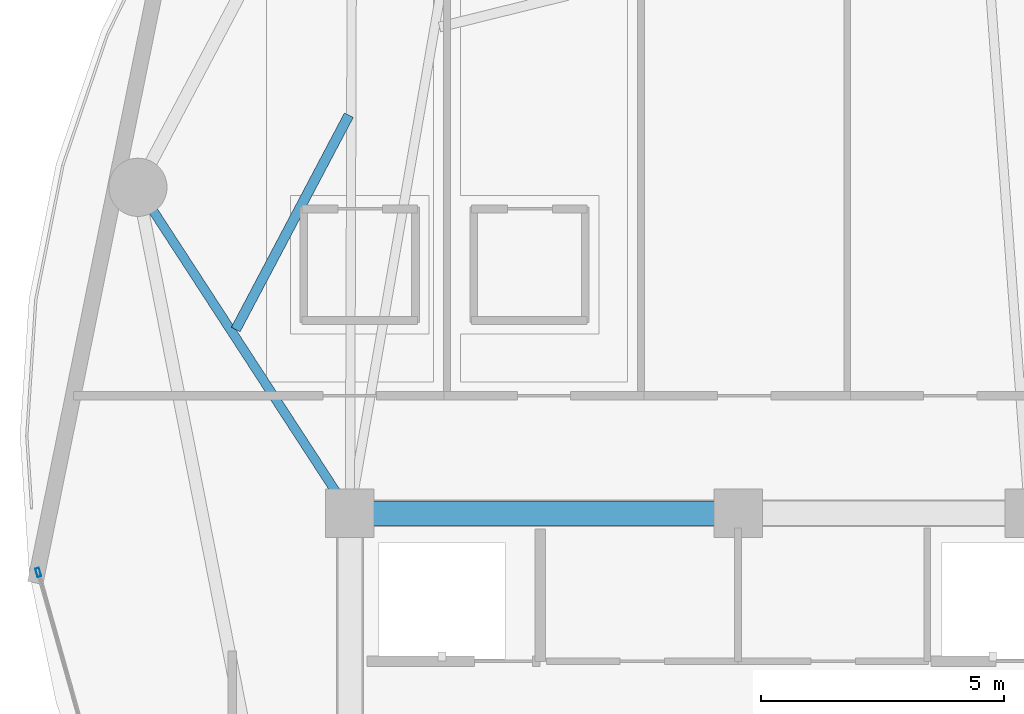
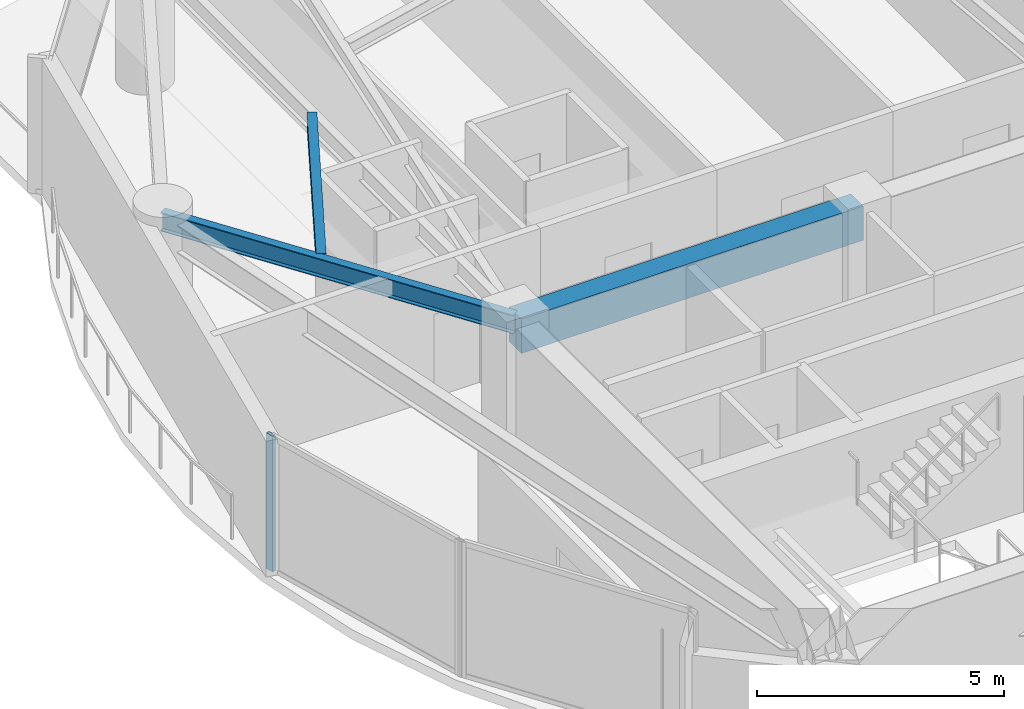
# One storey, part 7 of 28: 3 beams, 1 member, 1 element without a shape of its own.
"""IFC4 building model written with IfcOpenShell, lengths in metres."""

import ifcopenshell
import ifcopenshell.guid

model = None  # the IFC model being written
_history = None  # IfcOwnerHistory: only IFC2X3 demands one
_inside = {}  # id of a spatial element -> (the spatial element, [elements in it])
_under = {}  # id of a project, library or spatial element -> (it, [spatial elements below it])
_declared = {}  # id of a project -> (the project, [libraries it declares])
_typed = {}  # id of a type object -> (the type object, [elements of that type])
_made_of = {}  # id of a material, layer set ... -> (it, [elements and type objects made of it])


def new_model(schema):
    """Start an empty IFC model of exactly this schema.

    Asked for "IFC4X3", IfcOpenShell would pick the latest addendum, in which some entities
    have other attributes; the version numbers below select the first issue.
    IFC2X3 requires an IfcOwnerHistory on every rooted entity: one is made here for all.
    """
    global model, _history
    if schema == "IFC4X3":
        model = ifcopenshell.file(schema_version=(4, 3, 0, 0))
    else:
        model = ifcopenshell.file(schema=schema)
    _inside.clear()
    _under.clear()
    _declared.clear()
    _typed.clear()
    _made_of.clear()
    _history = None
    if model.schema == "IFC2X3":
        org = make("IfcOrganization", Name="unknown")
        user = make(
            "IfcPersonAndOrganization",
            ThePerson=make("IfcPerson", FamilyName="unknown"),
            TheOrganization=org,
        )
        app = make(
            "IfcApplication",
            ApplicationDeveloper=org,
            Version="unknown",
            ApplicationFullName="unknown",
            ApplicationIdentifier="unknown",
        )
        _history = make(
            "IfcOwnerHistory",
            OwningUser=user,
            OwningApplication=app,
            ChangeAction="ADDED",
            CreationDate=0,
        )
    return model


def make(cls, **values):
    """One entity of the class cls with the attributes given. An attribute that is None is left unset."""
    return model.create_entity(
        cls, **{name: value for name, value in values.items() if value is not None}
    )


def rooted(cls, **values):
    """An entity with a GlobalId (a new one), such as an element, a storey or a relation."""
    return make(cls, GlobalId=ifcopenshell.guid.new(), OwnerHistory=_history, **values)


def si_unit(unit_type, name, prefix=None):
    """IfcSIUnit, for example si_unit("LENGTHUNIT", "METRE", prefix="MILLI")."""
    return make("IfcSIUnit", UnitType=unit_type, Prefix=prefix, Name=name)


def assignment(units):
    """IfcUnitAssignment: the units of a project."""
    return None if units is None else make("IfcUnitAssignment", Units=units)


def point(xyz):
    """IfcCartesianPoint."""
    return None if xyz is None else make("IfcCartesianPoint", Coordinates=xyz)


def direction(xyz):
    """IfcDirection."""
    return None if xyz is None else make("IfcDirection", DirectionRatios=xyz)


def frame(location, z_axis=None, x_axis=None):
    """IfcAxis2Placement3D, a coordinate frame: its origin and axes. An axis left out is left unset."""
    return make(
        "IfcAxis2Placement3D",
        Location=point(location),
        Axis=direction(z_axis),
        RefDirection=direction(x_axis),
    )


def frame_2d(location, x_axis=None):
    """IfcAxis2Placement2D, a coordinate frame in the plane: its origin and x axis."""
    return make(
        "IfcAxis2Placement2D", Location=point(location), RefDirection=direction(x_axis)
    )


def origin():
    """The frame at (0, 0, 0) with its axes left unset."""
    return frame((0.0, 0.0, 0.0))


def origin_2d():
    """The frame at (0, 0) in the plane with its x axis left unset."""
    return frame_2d((0.0, 0.0))


def place(relative_to, where):
    """IfcLocalPlacement: puts the frame where relative to a parent placement (None: the world)."""
    return make(
        "IfcLocalPlacement", PlacementRelTo=relative_to, RelativePlacement=where
    )


def context(
    kind, dimensions, precision=None, world=None, true_north=None, identifier=None
):
    """IfcGeometricRepresentationContext, for example the 3D "Model" context."""
    return make(
        "IfcGeometricRepresentationContext",
        ContextIdentifier=identifier,
        ContextType=kind,
        CoordinateSpaceDimension=dimensions,
        Precision=precision,
        WorldCoordinateSystem=world,
        TrueNorth=true_north,
    )


def subcontext(parent, identifier, kind, view, scale=None):
    """IfcGeometricRepresentationSubContext, for example "Body" below "Model"."""
    return make(
        "IfcGeometricRepresentationSubContext",
        ContextIdentifier=identifier,
        ContextType=kind,
        ParentContext=parent,
        TargetScale=scale,
        TargetView=view,
    )


def project(units=None, contexts=None):
    """IfcProject with its units and contexts."""
    return rooted(
        "IfcProject",
        Name="project",
        RepresentationContexts=contexts,
        UnitsInContext=assignment(units),
    )


def spatial(cls, under=None, at=None, **own):
    """A site, building, storey or space (cls), placed at a placement, below another one or the project."""
    s = rooted(cls, ObjectPlacement=at, **own)
    if under is not None:
        _under.setdefault(under.id(), (under, []))[1].append(s)
    return s


def profile(cls, at=None, kind="AREA", **sizes):
    """A parametric profile (cls). Its sizes go by their IFC names, for example OverallWidth=200.0."""
    return make(cls, ProfileType=kind, Position=at, **sizes)


def rectangle(**sizes):
    """IfcRectangleProfileDef."""
    return profile("IfcRectangleProfileDef", **sizes)


def hollow_rectangle(**sizes):
    """IfcRectangleHollowProfileDef."""
    return profile("IfcRectangleHollowProfileDef", **sizes)


def i_section(**sizes):
    """IfcIShapeProfileDef."""
    return profile("IfcIShapeProfileDef", **sizes)


def extrude(swept, where, along, depth):
    """IfcExtrudedAreaSolid: the profile swept, set in the frame where, extruded along a direction by depth."""
    return make(
        "IfcExtrudedAreaSolid",
        SweptArea=swept,
        Position=where,
        ExtrudedDirection=direction(along),
        Depth=depth,
    )


def shape(context_of_items, identifier, shape_type, items):
    """IfcShapeRepresentation: the items that make up one representation, for example the "Body"."""
    return make(
        "IfcShapeRepresentation",
        ContextOfItems=context_of_items,
        RepresentationIdentifier=identifier,
        RepresentationType=shape_type,
        Items=items,
    )


def material(Name=None, Category=None):
    """IfcMaterial."""
    return make("IfcMaterial", Name=Name, Category=Category)


def layer(
    of_material, thickness, ventilated=None, Name=None, Category=None, Priority=None
):
    """IfcMaterialLayer: one layer of a wall or slab, of a material (None: an air gap)."""
    return make(
        "IfcMaterialLayer",
        Material=of_material,
        LayerThickness=thickness,
        IsVentilated=ventilated,
        Name=Name,
        Category=Category,
        Priority=Priority,
    )


def layer_set(layers, Name=None):
    """IfcMaterialLayerSet."""
    return make("IfcMaterialLayerSet", MaterialLayers=layers, LayerSetName=Name)


def material_profile(
    of_material, cross_section, Name=None, Category=None, Priority=None
):
    """IfcMaterialProfile: a cross section and its material."""
    return make(
        "IfcMaterialProfile",
        Name=Name,
        Material=of_material,
        Profile=cross_section,
        Priority=Priority,
        Category=Category,
    )


def profile_set(profiles, Name=None, composite=None):
    """IfcMaterialProfileSet."""
    return make(
        "IfcMaterialProfileSet",
        Name=Name,
        MaterialProfiles=profiles,
        CompositeProfile=composite,
    )


def made_of(thing, what):
    """Note that an element or type object is made of a material, layer set ...; save() writes the relation."""
    if what is not None:
        _made_of.setdefault(what.id(), (what, []))[1].append(thing)
    return thing


def type_object(cls, material=None, **own):
    """A type object (cls), such as IfcWallType, which elements share."""
    return made_of(rooted(cls, **own), material)


def element(
    cls,
    number,
    at=None,
    inside=None,
    cuts=None,
    type_object=None,
    material=None,
    context=None,
    identifier="Body",
    shape_type=None,
    held_by="IfcProductDefinitionShape",
    body=None,
    shapes=None,
    **own,
):
    """One element of the class cls, such as IfcWall. Its Tag is "e" and its number.

    at: its placement. inside: the storey or other place that contains it. cuts: it is an
    opening in that element (IfcRelVoidsElement). A single representation is given by context,
    identifier, shape_type and body (its items); several are given by shapes. held_by: the class
    of the entity that holds the representations. save() writes the other relations.
    """
    e = rooted(cls, Tag="e%d" % number, ObjectPlacement=at, **own)
    if body is not None:
        shapes = [shape(context, identifier, shape_type, body)]
    if shapes is not None:
        e.Representation = make(held_by, Representations=shapes)
    if inside is not None:
        _inside.setdefault(inside.id(), (inside, []))[1].append(e)
    if cuts is not None:
        rooted(
            "IfcRelVoidsElement", RelatingBuildingElement=cuts, RelatedOpeningElement=e
        )
    if type_object is not None:
        _typed.setdefault(type_object.id(), (type_object, []))[1].append(e)
    return made_of(e, material)


def aggregate(whole, parts):
    """IfcRelAggregates: a whole, such as a stair, and the parts it consists of."""
    return rooted("IfcRelAggregates", RelatingObject=whole, RelatedObjects=parts)


def save(model, path):
    """Write the relations noted so far, then the file.

    IfcRelAggregates (storeys below a building ...), IfcRelContainedInSpatialStructure (elements
    in a storey), IfcRelDefinesByType, IfcRelAssociatesMaterial and IfcRelDeclares: one each for
    every whole, place, type object, material and project.
    """
    for whole, parts in _under.values():
        aggregate(whole, parts)
    for where, things in _inside.values():
        rooted(
            "IfcRelContainedInSpatialStructure",
            RelatedElements=things,
            RelatingStructure=where,
        )
    for kind, things in _typed.values():
        rooted("IfcRelDefinesByType", RelatedObjects=things, RelatingType=kind)
    for what, things in _made_of.values():
        rooted("IfcRelAssociatesMaterial", RelatedObjects=things, RelatingMaterial=what)
    for by, libraries in _declared.values():
        rooted("IfcRelDeclares", RelatingContext=by, RelatedDefinitions=libraries)
    model.write(path)


model = new_model("IFC4")

# Units and contexts
model_context = context("Model", 3, precision=1e-05, world=origin(), true_north=direction((0.0, 1.0)))
body_context = subcontext(model_context, "Body", "Model", "MODEL_VIEW")
ifc_project = project(units=[si_unit("LENGTHUNIT", "METRE"), si_unit("AREAUNIT", "SQUARE_METRE"), si_unit("VOLUMEUNIT", "CUBIC_METRE"), si_unit("PLANEANGLEUNIT", "RADIAN"), si_unit("MASSUNIT", "GRAM", prefix="KILO")], contexts=[model_context])

# Site, building, storey
site_placement = place(None, origin())
site = spatial("IfcSite", under=ifc_project, at=site_placement, CompositionType="ELEMENT")
building_placement = place(site_placement, origin())
building = spatial("IfcBuilding", under=site, at=building_placement, Name="Kazevale Care Tower and Concert Hall", CompositionType="ELEMENT")
storey_placement = place(building_placement, frame((0.0, 0.0, 106.199951171875)))
storey = spatial("IfcBuildingStorey", under=building, at=storey_placement, Name="L27", CompositionType="ELEMENT", Elevation=106.199951171875)

# Curtain wall, member
ifc_material_1 = material(Name="Aluminium 6063-T6 and Low-E Glass", Category="aluminium")
ifc_layer = layer(ifc_material_1, 0.179931640625)
ifc_layer_set = layer_set([ifc_layer], Name="Aluminium 6063-T6 and Low-E Glass")
curtain_wall_type = type_object("IfcCurtainWallType", Name="Waist & Upper Residential Curtain Wall CW-4", PredefinedType="NOTDEFINED", material=ifc_layer_set)
curtain_wall_placement = place(storey_placement, origin())
curtain_wall = element("IfcCurtainWall", 1, at=curtain_wall_placement, inside=storey, type_object=curtain_wall_type, Name="cw:L27:f12", PredefinedType="NOTDEFINED")
ifc_material_2 = material(Name="Aluminium 6063-T6", Category="aluminium")
ifc_material_profile_1 = material_profile(ifc_material_2, hollow_rectangle(XDim=0.080078125, YDim=0.179931640625, WallThickness=0.0048828125, at=origin_2d()), Name="ALU80x180x5")
ifc_profile_set_1 = profile_set([ifc_material_profile_1], Name="Aluminium 6063-T6")
member_type = type_object("IfcMemberType", Name="CW-4 Mullion ALU80x180x5", PredefinedType="MULLION", material=ifc_profile_set_1)
member_placement = place(storey_placement, frame((15.576904296875, 35.18359375, 0.0), z_axis=(0.0, 0.0, 1.0), x_axis=(-0.962499078876, -0.271284948278, 0.0)))
member = element("IfcMember", 2, at=member_placement, type_object=member_type, Name="CW-4 mullion 2", PredefinedType="MULLION", context=body_context, shape_type="SweptSolid", body=[
    extrude(hollow_rectangle(XDim=0.080078125, YDim=0.179931640625, WallThickness=0.0048828125, at=origin_2d()), origin(), (0.0, 0.0, 1.0), 3.360107421875),
])
aggregate(curtain_wall, [member])

# Beams
ifc_material_3 = material(Name="Concrete C60", Category="concrete")
ifc_material_profile_2 = material_profile(ifc_material_3, rectangle(XDim=0.5, YDim=0.85009765625, at=origin_2d()), Name="RC-B500x850")
ifc_profile_set_2 = profile_set([ifc_material_profile_2], Name="Concrete C60")
beam_type_1 = type_object("IfcBeamType", Name="Core Coupling Beam RC500x850", PredefinedType="LINTEL", material=ifc_profile_set_2)
beam_1_placement = place(storey_placement, frame((30.0, 36.39990234375, 2.93505859375), z_axis=(-1.0, 0.0, 0.0), x_axis=(0.0, -1.0, 0.0)))
element("IfcBeam", 3, at=beam_1_placement, inside=storey, type_object=beam_type_1, Name="beam:L27:coretie:7", PredefinedType="LINTEL", context=body_context, shape_type="SweptSolid", body=[
    extrude(rectangle(XDim=0.5, YDim=0.85009765625, at=origin_2d()), origin(), (0.0, 0.0, 1.0), 8.0),
])
ifc_material_4 = material(Name="Steel ASTM A572 Gr 50", Category="steel")
ifc_material_profile_3 = material_profile(ifc_material_4, i_section(OverallWidth=0.19091796875, OverallDepth=0.4599609375, WebThickness=0.010009765625, FlangeThickness=0.01611328125, at=origin_2d()), Name="W460x82")
ifc_profile_set_3 = profile_set([ifc_material_profile_3], Name="Steel ASTM A572 Gr 50")
beam_type_2 = type_object("IfcBeamType", Name="Radial Floor Beam W460x82", PredefinedType="BEAM", material=ifc_profile_set_3)
beam_2_placement = place(storey_placement, frame((22.0, 36.39990234375, 3.130126953125), z_axis=(-0.5451617613, 0.83833087383, 0.0), x_axis=(-0.83833087383, -0.5451617613, 0.0)))
element("IfcBeam", 4, at=beam_2_placement, inside=storey, type_object=beam_type_2, Name="beam:L27:rad:09", PredefinedType="BEAM", context=body_context, shape_type="SweptSolid", body=[
    extrude(i_section(OverallWidth=0.19091796875, OverallDepth=0.4599609375, WebThickness=0.010009765625, FlangeThickness=0.01611328125, at=origin_2d()), origin(), (0.0, 0.0, 1.0), 8.01611328125),
])
ifc_material_profile_4 = material_profile(ifc_material_4, i_section(OverallWidth=0.205078125, OverallDepth=0.35400390625, WebThickness=0.009521484375, FlangeThickness=0.016845703125, at=origin_2d()), Name="W360x79")
ifc_profile_set_4 = profile_set([ifc_material_profile_4], Name="Steel ASTM A572 Gr 50")
beam_type_3 = type_object("IfcBeamType", Name="Secondary Floor Joist W360x79", PredefinedType="JOIST", material=ifc_profile_set_4)
beam_3_placement = place(storey_placement, frame((21.97802734375, 44.60693359375, 3.18310546875), z_axis=(-0.466809583155, -0.884357853515, 0.0), x_axis=(0.884357853515, -0.466809583155, 0.0)))
element("IfcBeam", 5, at=beam_3_placement, inside=storey, type_object=beam_type_3, Name="beam:L27:joist:08", PredefinedType="JOIST", context=body_context, shape_type="SweptSolid", body=[
    extrude(i_section(OverallWidth=0.205078125, OverallDepth=0.35400390625, WebThickness=0.009521484375, FlangeThickness=0.016845703125, at=origin_2d()), origin(), (0.0, 0.0, 1.0), 4.99560546875),
])

save(model, "model.ifc")
